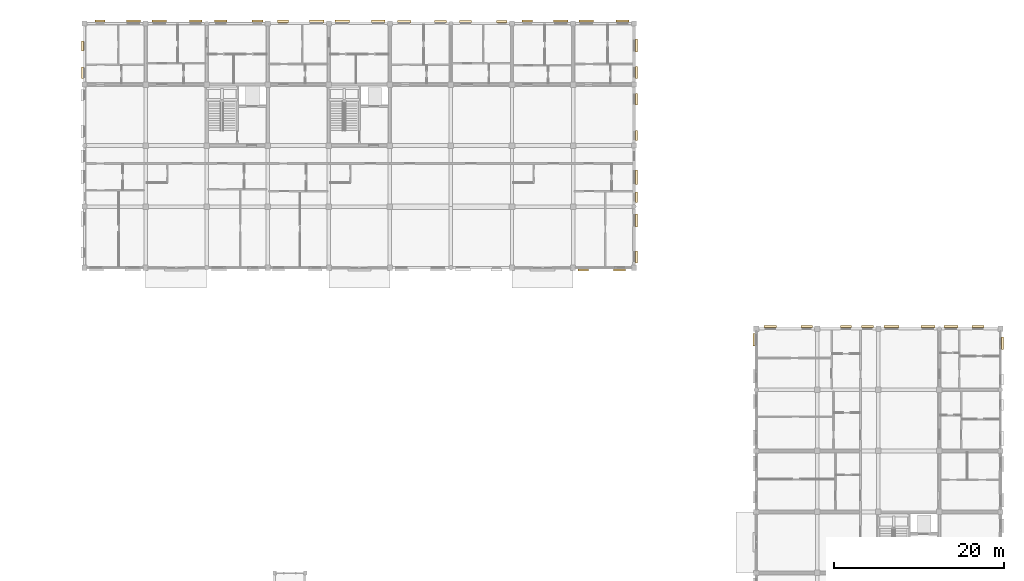
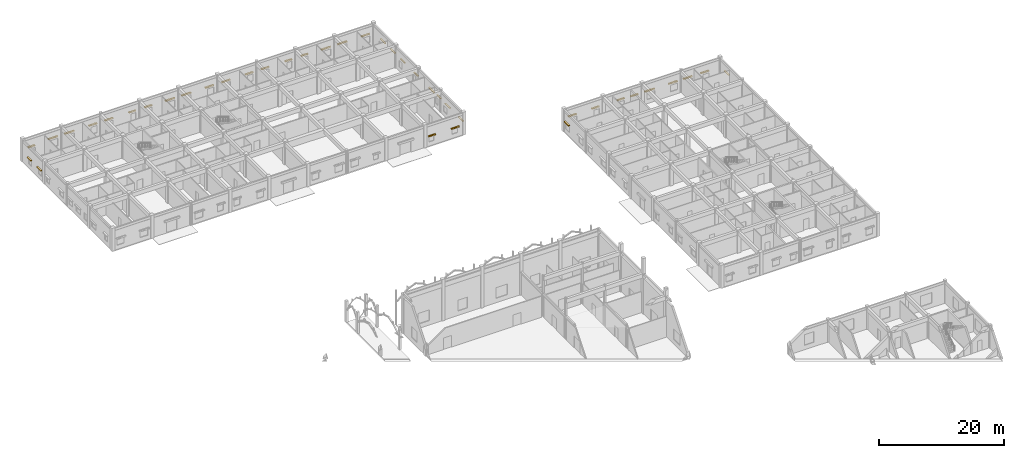
# One storey, part 137 of 138: 40 coverings.
"""IFC4 building model written with IfcOpenShell, lengths in metres."""

import ifcopenshell
import ifcopenshell.guid

model = None  # the IFC model being written
_history = None  # IfcOwnerHistory: only IFC2X3 demands one
_inside = {}  # id of a spatial element -> (the spatial element, [elements in it])
_under = {}  # id of a project, library or spatial element -> (it, [spatial elements below it])
_declared = {}  # id of a project -> (the project, [libraries it declares])
_typed = {}  # id of a type object -> (the type object, [elements of that type])
_made_of = {}  # id of a material, layer set ... -> (it, [elements and type objects made of it])


def new_model(schema):
    """Start an empty IFC model of exactly this schema.

    Asked for "IFC4X3", IfcOpenShell would pick the latest addendum, in which some entities
    have other attributes; the version numbers below select the first issue.
    IFC2X3 requires an IfcOwnerHistory on every rooted entity: one is made here for all.
    """
    global model, _history
    if schema == "IFC4X3":
        model = ifcopenshell.file(schema_version=(4, 3, 0, 0))
    else:
        model = ifcopenshell.file(schema=schema)
    _inside.clear()
    _under.clear()
    _declared.clear()
    _typed.clear()
    _made_of.clear()
    _history = None
    if model.schema == "IFC2X3":
        org = make("IfcOrganization", Name="unknown")
        user = make(
            "IfcPersonAndOrganization",
            ThePerson=make("IfcPerson", FamilyName="unknown"),
            TheOrganization=org,
        )
        app = make(
            "IfcApplication",
            ApplicationDeveloper=org,
            Version="unknown",
            ApplicationFullName="unknown",
            ApplicationIdentifier="unknown",
        )
        _history = make(
            "IfcOwnerHistory",
            OwningUser=user,
            OwningApplication=app,
            ChangeAction="ADDED",
            CreationDate=0,
        )
    return model


def make(cls, **values):
    """One entity of the class cls with the attributes given. An attribute that is None is left unset."""
    return model.create_entity(
        cls, **{name: value for name, value in values.items() if value is not None}
    )


def rooted(cls, **values):
    """An entity with a GlobalId (a new one), such as an element, a storey or a relation."""
    return make(cls, GlobalId=ifcopenshell.guid.new(), OwnerHistory=_history, **values)


def si_unit(unit_type, name, prefix=None):
    """IfcSIUnit, for example si_unit("LENGTHUNIT", "METRE", prefix="MILLI")."""
    return make("IfcSIUnit", UnitType=unit_type, Prefix=prefix, Name=name)


def assignment(units):
    """IfcUnitAssignment: the units of a project."""
    return None if units is None else make("IfcUnitAssignment", Units=units)


def point(xyz):
    """IfcCartesianPoint."""
    return None if xyz is None else make("IfcCartesianPoint", Coordinates=xyz)


def direction(xyz):
    """IfcDirection."""
    return None if xyz is None else make("IfcDirection", DirectionRatios=xyz)


def frame(location, z_axis=None, x_axis=None):
    """IfcAxis2Placement3D, a coordinate frame: its origin and axes. An axis left out is left unset."""
    return make(
        "IfcAxis2Placement3D",
        Location=point(location),
        Axis=direction(z_axis),
        RefDirection=direction(x_axis),
    )


def frame_2d(location, x_axis=None):
    """IfcAxis2Placement2D, a coordinate frame in the plane: its origin and x axis."""
    return make(
        "IfcAxis2Placement2D", Location=point(location), RefDirection=direction(x_axis)
    )


def origin():
    """The frame at (0, 0, 0) with its axes left unset."""
    return frame((0.0, 0.0, 0.0))


def origin_2d():
    """The frame at (0, 0) in the plane with its x axis left unset."""
    return frame_2d((0.0, 0.0))


def place(relative_to, where):
    """IfcLocalPlacement: puts the frame where relative to a parent placement (None: the world)."""
    return make(
        "IfcLocalPlacement", PlacementRelTo=relative_to, RelativePlacement=where
    )


def context(
    kind, dimensions, precision=None, world=None, true_north=None, identifier=None
):
    """IfcGeometricRepresentationContext, for example the 3D "Model" context."""
    return make(
        "IfcGeometricRepresentationContext",
        ContextIdentifier=identifier,
        ContextType=kind,
        CoordinateSpaceDimension=dimensions,
        Precision=precision,
        WorldCoordinateSystem=world,
        TrueNorth=true_north,
    )


def subcontext(parent, identifier, kind, view, scale=None):
    """IfcGeometricRepresentationSubContext, for example "Body" below "Model"."""
    return make(
        "IfcGeometricRepresentationSubContext",
        ContextIdentifier=identifier,
        ContextType=kind,
        ParentContext=parent,
        TargetScale=scale,
        TargetView=view,
    )


def project(units=None, contexts=None):
    """IfcProject with its units and contexts."""
    return rooted(
        "IfcProject",
        Name="project",
        RepresentationContexts=contexts,
        UnitsInContext=assignment(units),
    )


def spatial(cls, under=None, at=None, **own):
    """A site, building, storey or space (cls), placed at a placement, below another one or the project."""
    s = rooted(cls, ObjectPlacement=at, **own)
    if under is not None:
        _under.setdefault(under.id(), (under, []))[1].append(s)
    return s


def profile(cls, at=None, kind="AREA", **sizes):
    """A parametric profile (cls). Its sizes go by their IFC names, for example OverallWidth=200.0."""
    return make(cls, ProfileType=kind, Position=at, **sizes)


def rectangle(**sizes):
    """IfcRectangleProfileDef."""
    return profile("IfcRectangleProfileDef", **sizes)


def extrude(swept, where, along, depth):
    """IfcExtrudedAreaSolid: the profile swept, set in the frame where, extruded along a direction by depth."""
    return make(
        "IfcExtrudedAreaSolid",
        SweptArea=swept,
        Position=where,
        ExtrudedDirection=direction(along),
        Depth=depth,
    )


def shape(context_of_items, identifier, shape_type, items):
    """IfcShapeRepresentation: the items that make up one representation, for example the "Body"."""
    return make(
        "IfcShapeRepresentation",
        ContextOfItems=context_of_items,
        RepresentationIdentifier=identifier,
        RepresentationType=shape_type,
        Items=items,
    )


def material(Name=None, Category=None):
    """IfcMaterial."""
    return make("IfcMaterial", Name=Name, Category=Category)


def layer(
    of_material, thickness, ventilated=None, Name=None, Category=None, Priority=None
):
    """IfcMaterialLayer: one layer of a wall or slab, of a material (None: an air gap)."""
    return make(
        "IfcMaterialLayer",
        Material=of_material,
        LayerThickness=thickness,
        IsVentilated=ventilated,
        Name=Name,
        Category=Category,
        Priority=Priority,
    )


def layer_set(layers, Name=None):
    """IfcMaterialLayerSet."""
    return make("IfcMaterialLayerSet", MaterialLayers=layers, LayerSetName=Name)


def made_of(thing, what):
    """Note that an element or type object is made of a material, layer set ...; save() writes the relation."""
    if what is not None:
        _made_of.setdefault(what.id(), (what, []))[1].append(thing)
    return thing


def type_object(cls, material=None, **own):
    """A type object (cls), such as IfcWallType, which elements share."""
    return made_of(rooted(cls, **own), material)


def element(
    cls,
    number,
    at=None,
    inside=None,
    cuts=None,
    type_object=None,
    material=None,
    context=None,
    identifier="Body",
    shape_type=None,
    held_by="IfcProductDefinitionShape",
    body=None,
    shapes=None,
    **own,
):
    """One element of the class cls, such as IfcWall. Its Tag is "e" and its number.

    at: its placement. inside: the storey or other place that contains it. cuts: it is an
    opening in that element (IfcRelVoidsElement). A single representation is given by context,
    identifier, shape_type and body (its items); several are given by shapes. held_by: the class
    of the entity that holds the representations. save() writes the other relations.
    """
    e = rooted(cls, Tag="e%d" % number, ObjectPlacement=at, **own)
    if body is not None:
        shapes = [shape(context, identifier, shape_type, body)]
    if shapes is not None:
        e.Representation = make(held_by, Representations=shapes)
    if inside is not None:
        _inside.setdefault(inside.id(), (inside, []))[1].append(e)
    if cuts is not None:
        rooted(
            "IfcRelVoidsElement", RelatingBuildingElement=cuts, RelatedOpeningElement=e
        )
    if type_object is not None:
        _typed.setdefault(type_object.id(), (type_object, []))[1].append(e)
    return made_of(e, material)


def aggregate(whole, parts):
    """IfcRelAggregates: a whole, such as a stair, and the parts it consists of."""
    return rooted("IfcRelAggregates", RelatingObject=whole, RelatedObjects=parts)


def save(model, path):
    """Write the relations noted so far, then the file.

    IfcRelAggregates (storeys below a building ...), IfcRelContainedInSpatialStructure (elements
    in a storey), IfcRelDefinesByType, IfcRelAssociatesMaterial and IfcRelDeclares: one each for
    every whole, place, type object, material and project.
    """
    for whole, parts in _under.values():
        aggregate(whole, parts)
    for where, things in _inside.values():
        rooted(
            "IfcRelContainedInSpatialStructure",
            RelatedElements=things,
            RelatingStructure=where,
        )
    for kind, things in _typed.values():
        rooted("IfcRelDefinesByType", RelatedObjects=things, RelatingType=kind)
    for what, things in _made_of.values():
        rooted("IfcRelAssociatesMaterial", RelatedObjects=things, RelatingMaterial=what)
    for by, libraries in _declared.values():
        rooted("IfcRelDeclares", RelatingContext=by, RelatedDefinitions=libraries)
    model.write(path)


model = new_model("IFC4")

# Units and contexts
model_context = context("Model", 3, precision=1e-05, world=origin(), true_north=direction((0.0, 1.0)))
body_context = subcontext(model_context, "Body", "Model", "MODEL_VIEW")
ifc_project = project(units=[si_unit("LENGTHUNIT", "METRE"), si_unit("AREAUNIT", "SQUARE_METRE"), si_unit("VOLUMEUNIT", "CUBIC_METRE"), si_unit("PLANEANGLEUNIT", "RADIAN"), si_unit("MASSUNIT", "GRAM", prefix="KILO"), si_unit("THERMODYNAMICTEMPERATUREUNIT", "KELVIN"), si_unit("POWERUNIT", "WATT")], contexts=[model_context])

# Site, building, storey
site_placement = place(None, origin())
site = spatial("IfcSite", under=ifc_project, at=site_placement, CompositionType="ELEMENT")
building_placement = place(site_placement, origin())
building = spatial("IfcBuilding", under=site, at=building_placement, Name="Tavuni Mirador Residences", CompositionType="ELEMENT")
storey_placement = place(building_placement, origin())
storey = spatial("IfcBuildingStorey", under=building, at=storey_placement, Name="L00", CompositionType="ELEMENT", Elevation=0.0)

# Coverings
ifc_material = material(Name="Natural coral limestone", Category="masonry")
ifc_layer = layer(ifc_material, 0.054931640625, Name="Natural coral limestone", Category="masonry")
ifc_layer_set = layer_set([ifc_layer], Name="Natural coral limestone")
covering_type = type_object("IfcCoveringType", Name="CVT-CLAD-CORAL", PredefinedType="CLADDING", material=ifc_layer_set)
covering_1_placement = place(storey_placement, frame((69.610107421875, 143.720458984375, 1.955078125), z_axis=(0.0, 0.0, 1.0), x_axis=(1.0, 0.0, 0.0)))
element("IfcCovering", 1, at=covering_1_placement, inside=storey, type_object=covering_type, Name="HOOD-0496", PredefinedType="CLADDING", context=body_context, shape_type="SweptSolid", body=[
    extrude(rectangle(XDim=1.260009765625, YDim=0.25, at=origin_2d()), origin(), (0.0, 0.0, 1.0), 0.14990234375),
])
for number, where, z_axis, x_axis, name in (
    (2, (73.889892578125, 143.720458984375, 1.955078125), (0.0, 0.0, 1.0), (1.0, 0.0, 0.0), "HOOD-0497"),
    (3, (75.886962890625, 145.2900390625, 1.955078125), (0.0, 0.0, 1.0), (0.0, 1.0, 0.0), "HOOD-0498"),
):
    element("IfcCovering", number, at=place(storey_placement, frame(where, z_axis=z_axis, x_axis=x_axis)), inside=storey, type_object=covering_type, Name=name, PredefinedType="CLADDING", context=body_context, shape_type="SweptSolid", body=[
        extrude(rectangle(XDim=1.419921875, YDim=0.25, at=origin_2d()), origin(), (0.0, 0.0, 1.0), 0.14990234375),
    ])
covering_2_placement = place(storey_placement, frame((75.886962890625, 149.570068359375, 1.955078125), z_axis=(0.0, 0.0, 1.0), x_axis=(0.0, 1.0, 0.0)))
element("IfcCovering", 4, at=covering_2_placement, inside=storey, type_object=covering_type, Name="HOOD-0499", PredefinedType="CLADDING", context=body_context, shape_type="SweptSolid", body=[
    extrude(rectangle(XDim=1.580078125, YDim=0.25, at=origin_2d()), origin(), (0.0, 0.0, 1.0), 0.14990234375),
])
covering_3_placement = place(storey_placement, frame((75.87939453125, 152.31005859375, 2.06494140625), z_axis=(0.0, 0.0, 1.0), x_axis=(0.0, 1.0, 0.0)))
element("IfcCovering", 5, at=covering_3_placement, inside=storey, type_object=covering_type, Name="HOOD-0500", PredefinedType="CLADDING", context=body_context, shape_type="SweptSolid", body=[
    extrude(rectangle(XDim=1.219970703125, YDim=0.25, at=origin_2d()), origin(), (0.0, 0.0, 1.0), 0.14990234375),
])
covering_4_placement = place(storey_placement, frame((75.87939453125, 154.659912109375, 1.955078125), z_axis=(0.0, 0.0, 1.0), x_axis=(0.0, 1.0, 0.0)))
element("IfcCovering", 6, at=covering_4_placement, inside=storey, type_object=covering_type, Name="HOOD-0501", PredefinedType="CLADDING", context=body_context, shape_type="SweptSolid", body=[
    extrude(rectangle(XDim=1.739990234375, YDim=0.25, at=origin_2d()), origin(), (0.0, 0.0, 1.0), 0.14990234375),
])
covering_5_placement = place(storey_placement, frame((75.87451171875, 159.590087890625, 2.06494140625), z_axis=(0.0, 0.0, 1.0), x_axis=(0.0, 1.0, 0.0)))
element("IfcCovering", 7, at=covering_5_placement, inside=storey, type_object=covering_type, Name="HOOD-0502", PredefinedType="CLADDING", context=body_context, shape_type="SweptSolid", body=[
    extrude(rectangle(XDim=1.219970703125, YDim=0.25, at=origin_2d()), origin(), (0.0, 0.0, 1.0), 0.14990234375),
])
for number, where, z_axis, x_axis, name in (
    (8, (75.87451171875, 163.8701171875, 2.06494140625), (0.0, 0.0, 1.0), (0.0, 1.0, 0.0), "HOOD-0503"),
    (9, (75.866943359375, 167.030029296875, 2.06494140625), (0.0, 0.0, 1.0), (0.0, 1.0, 0.0), "HOOD-0504"),
):
    element("IfcCovering", number, at=place(storey_placement, frame(where, z_axis=z_axis, x_axis=x_axis)), inside=storey, type_object=covering_type, Name=name, PredefinedType="CLADDING", context=body_context, shape_type="SweptSolid", body=[
        extrude(rectangle(XDim=1.3798828125, YDim=0.25, at=origin_2d()), origin(), (0.0, 0.0, 1.0), 0.14990234375),
    ])
for number, where, z_axis, x_axis, name in (
    (10, (75.866943359375, 170.18994140625, 2.06494140625), (0.0, 0.0, 1.0), (0.0, 1.0, 0.0), "HOOD-0505"),
    (11, (74.25, 173.07958984375, 2.06494140625), (0.0, 0.0, 1.0), (-1.0, 0.0, 0.0), "HOOD-0506"),
):
    element("IfcCovering", number, at=place(storey_placement, frame(where, z_axis=z_axis, x_axis=x_axis)), inside=storey, type_object=covering_type, Name=name, PredefinedType="CLADDING", context=body_context, shape_type="SweptSolid", body=[
        extrude(rectangle(XDim=1.5400390625, YDim=0.25, at=origin_2d()), origin(), (0.0, 0.0, 1.0), 0.14990234375),
    ])
for number, where, z_axis, x_axis, name in (
    (12, (69.969970703125, 173.07958984375, 2.06494140625), (0.0, 0.0, 1.0), (-1.0, 0.0, 0.0), "HOOD-0507"),
    (13, (66.969970703125, 173.0869140625, 2.06494140625), (0.0, 0.0, 1.0), (-1.0, 0.0, 0.0), "HOOD-0508"),
):
    element("IfcCovering", number, at=place(storey_placement, frame(where, z_axis=z_axis, x_axis=x_axis)), inside=storey, type_object=covering_type, Name=name, PredefinedType="CLADDING", context=body_context, shape_type="SweptSolid", body=[
        extrude(rectangle(XDim=1.699951171875, YDim=0.25, at=origin_2d()), origin(), (0.0, 0.0, 1.0), 0.14990234375),
    ])
for number, where, z_axis, x_axis, name in (
    (14, (63.0, 173.0869140625, 2.1650390625), (0.0, 0.0, 1.0), (-1.0, 0.0, 0.0), "HOOD-0509"),
    (15, (60.0, 173.04443359375, 2.1650390625), (0.0, 0.0, 1.0), (-1.0, 0.0, 0.0), "HOOD-0510"),
):
    element("IfcCovering", number, at=place(storey_placement, frame(where, z_axis=z_axis, x_axis=x_axis)), inside=storey, type_object=covering_type, Name=name, PredefinedType="CLADDING", context=body_context, shape_type="SweptSolid", body=[
        extrude(rectangle(XDim=1.239990234375, YDim=0.25, at=origin_2d()), origin(), (0.0, 0.0, 1.0), 0.14990234375),
    ])
for number, where, z_axis, x_axis, name in (
    (16, (55.719970703125, 173.04443359375, 2.1650390625), (0.0, 0.0, 1.0), (-1.0, 0.0, 0.0), "HOOD-0511"),
    (17, (52.760009765625, 173.049560546875, 2.1650390625), (0.0, 0.0, 1.0), (-1.0, 0.0, 0.0), "HOOD-0512"),
):
    element("IfcCovering", number, at=place(storey_placement, frame(where, z_axis=z_axis, x_axis=x_axis)), inside=storey, type_object=covering_type, Name=name, PredefinedType="CLADDING", context=body_context, shape_type="SweptSolid", body=[
        extrude(rectangle(XDim=1.39990234375, YDim=0.25, at=origin_2d()), origin(), (0.0, 0.0, 1.0), 0.14990234375),
    ])
for number, where, z_axis, x_axis, name in (
    (18, (48.47998046875, 173.049560546875, 2.1650390625), (0.0, 0.0, 1.0), (-1.0, 0.0, 0.0), "HOOD-0513"),
    (19, (45.43994140625, 173.0595703125, 2.1650390625), (0.0, 0.0, 1.0), (-1.0, 0.0, 0.0), "HOOD-0514"),
):
    element("IfcCovering", number, at=place(storey_placement, frame(where, z_axis=z_axis, x_axis=x_axis)), inside=storey, type_object=covering_type, Name=name, PredefinedType="CLADDING", context=body_context, shape_type="SweptSolid", body=[
        extrude(rectangle(XDim=1.56005859375, YDim=0.25, at=origin_2d()), origin(), (0.0, 0.0, 1.0), 0.14990234375),
    ])
for number, where, z_axis, x_axis, name in (
    (20, (41.159912109375, 173.0595703125, 2.1650390625), (0.0, 0.0, 1.0), (-1.0, 0.0, 0.0), "HOOD-0515"),
    (21, (38.159912109375, 173.06689453125, 2.1650390625), (0.0, 0.0, 1.0), (-1.0, 0.0, 0.0), "HOOD-0516"),
):
    element("IfcCovering", number, at=place(storey_placement, frame(where, z_axis=z_axis, x_axis=x_axis)), inside=storey, type_object=covering_type, Name=name, PredefinedType="CLADDING", context=body_context, shape_type="SweptSolid", body=[
        extrude(rectangle(XDim=1.719970703125, YDim=0.25, at=origin_2d()), origin(), (0.0, 0.0, 1.0), 0.14990234375),
    ])
for number, where, z_axis, x_axis, name in (
    (22, (34.179931640625, 173.06689453125, 2.2451171875), (0.0, 0.0, 1.0), (-1.0, 0.0, 0.0), "HOOD-0517"),
    (23, (31.179931640625, 173.074462890625, 2.2451171875), (0.0, 0.0, 1.0), (-1.0, 0.0, 0.0), "HOOD-0518"),
):
    element("IfcCovering", number, at=place(storey_placement, frame(where, z_axis=z_axis, x_axis=x_axis)), inside=storey, type_object=covering_type, Name=name, PredefinedType="CLADDING", context=body_context, shape_type="SweptSolid", body=[
        extrude(rectangle(XDim=1.280029296875, YDim=0.25, at=origin_2d()), origin(), (0.0, 0.0, 1.0), 0.14990234375),
    ])
for number, where, z_axis, x_axis, name in (
    (24, (26.875, 173.074462890625, 2.2451171875), (0.0, 0.0, 1.0), (-1.0, 0.0, 0.0), "HOOD-0519"),
    (25, (23.9150390625, 173.07958984375, 2.2451171875), (0.0, 0.0, 1.0), (-1.0, 0.0, 0.0), "HOOD-0520"),
):
    element("IfcCovering", number, at=place(storey_placement, frame(where, z_axis=z_axis, x_axis=x_axis)), inside=storey, type_object=covering_type, Name=name, PredefinedType="CLADDING", context=body_context, shape_type="SweptSolid", body=[
        extrude(rectangle(XDim=1.489990234375, YDim=0.25, at=origin_2d()), origin(), (0.0, 0.0, 1.0), 0.14990234375),
    ])
for number, where, z_axis, x_axis, name in (
    (26, (19.614990234375, 173.07958984375, 2.2451171875), (0.0, 0.0, 1.0), (-1.0, 0.0, 0.0), "HOOD-0521"),
    (27, (16.574951171875, 173.0869140625, 2.2451171875), (0.0, 0.0, 1.0), (-1.0, 0.0, 0.0), "HOOD-0522"),
):
    element("IfcCovering", number, at=place(storey_placement, frame(where, z_axis=z_axis, x_axis=x_axis)), inside=storey, type_object=covering_type, Name=name, PredefinedType="CLADDING", context=body_context, shape_type="SweptSolid", body=[
        extrude(rectangle(XDim=1.68994140625, YDim=0.25, at=origin_2d()), origin(), (0.0, 0.0, 1.0), 0.14990234375),
    ])
for number, where, z_axis, x_axis, name in (
    (28, (12.625, 173.0869140625, 1.955078125), (0.0, 0.0, 1.0), (-1.0, 0.0, 0.0), "HOOD-0523"),
    (29, (10.532958984375, 170.14990234375, 1.955078125), (0.0, 0.0, 1.0), (0.0, -1.0, 0.0), "HOOD-0524"),
):
    element("IfcCovering", number, at=place(storey_placement, frame(where, z_axis=z_axis, x_axis=x_axis)), inside=storey, type_object=covering_type, Name=name, PredefinedType="CLADDING", context=body_context, shape_type="SweptSolid", body=[
        extrude(rectangle(XDim=1.18994140625, YDim=0.25, at=origin_2d()), origin(), (0.0, 0.0, 1.0), 0.14990234375),
    ])
covering_6_placement = place(storey_placement, frame((10.532958984375, 166.989990234375, 1.955078125), z_axis=(0.0, 0.0, 1.0), x_axis=(0.0, -1.0, 0.0)))
element("IfcCovering", 30, at=covering_6_placement, inside=storey, type_object=covering_type, Name="HOOD-0525", PredefinedType="CLADDING", context=body_context, shape_type="SweptSolid", body=[
    extrude(rectangle(XDim=1.340087890625, YDim=0.25, at=origin_2d()), origin(), (0.0, 0.0, 1.0), 0.14990234375),
])
for number, where, z_axis, x_axis, name in (
    (31, (119.04443359375, 135.070068359375, 2.06494140625), (0.0, 0.0, 1.0), (0.0, 1.0, 0.0), "HOOD-0865"),
    (32, (116.14990234375, 137.06689453125, 2.06494140625), (0.0, 0.0, 1.0), (-1.0, 0.0, 0.0), "HOOD-0866"),
):
    element("IfcCovering", number, at=place(storey_placement, frame(where, z_axis=z_axis, x_axis=x_axis)), inside=storey, type_object=covering_type, Name=name, PredefinedType="CLADDING", context=body_context, shape_type="SweptSolid", body=[
        extrude(rectangle(XDim=1.4599609375, YDim=0.25, at=origin_2d()), origin(), (0.0, 0.0, 1.0), 0.14990234375),
    ])
for number, where, z_axis, x_axis, name in (
    (33, (112.969970703125, 137.06689453125, 2.06494140625), (0.0, 0.0, 1.0), (-1.0, 0.0, 0.0), "HOOD-0867"),
    (34, (110.25, 137.074462890625, 2.06494140625), (0.0, 0.0, 1.0), (-1.0, 0.0, 0.0), "HOOD-0868"),
):
    element("IfcCovering", number, at=place(storey_placement, frame(where, z_axis=z_axis, x_axis=x_axis)), inside=storey, type_object=covering_type, Name=name, PredefinedType="CLADDING", context=body_context, shape_type="SweptSolid", body=[
        extrude(rectangle(XDim=1.6201171875, YDim=0.25, at=origin_2d()), origin(), (0.0, 0.0, 1.0), 0.14990234375),
    ])
covering_7_placement = place(storey_placement, frame((105.969970703125, 137.074462890625, 2.06494140625), z_axis=(0.0, 0.0, 1.0), x_axis=(-1.0, 0.0, 0.0)))
element("IfcCovering", 35, at=covering_7_placement, inside=storey, type_object=covering_type, Name="HOOD-0869", PredefinedType="CLADDING", context=body_context, shape_type="SweptSolid", body=[
    extrude(rectangle(XDim=1.780029296875, YDim=0.25, at=origin_2d()), origin(), (0.0, 0.0, 1.0), 0.14990234375),
])
covering_8_placement = place(storey_placement, frame((103.1298828125, 137.07958984375, 2.06494140625), z_axis=(0.0, 0.0, 1.0), x_axis=(-1.0, 0.0, 0.0)))
element("IfcCovering", 36, at=covering_8_placement, inside=storey, type_object=covering_type, Name="HOOD-0870", PredefinedType="CLADDING", context=body_context, shape_type="SweptSolid", body=[
    extrude(rectangle(XDim=1.3798828125, YDim=0.25, at=origin_2d()), origin(), (0.0, 0.0, 1.0), 0.14990234375),
])
for number, where, z_axis, x_axis, name in (
    (37, (100.60009765625, 137.07958984375, 2.1650390625), (0.0, 0.0, 1.0), (-1.0, 0.0, 0.0), "HOOD-0871"),
    (38, (95.9599609375, 137.0869140625, 2.1650390625), (0.0, 0.0, 1.0), (-1.0, 0.0, 0.0), "HOOD-0872"),
):
    element("IfcCovering", number, at=place(storey_placement, frame(where, z_axis=z_axis, x_axis=x_axis)), inside=storey, type_object=covering_type, Name=name, PredefinedType="CLADDING", context=body_context, shape_type="SweptSolid", body=[
        extrude(rectangle(XDim=1.320068359375, YDim=0.25, at=origin_2d()), origin(), (0.0, 0.0, 1.0), 0.14990234375),
    ])
for number, where, z_axis, x_axis, name in (
    (39, (91.679931640625, 137.0869140625, 2.1650390625), (0.0, 0.0, 1.0), (-1.0, 0.0, 0.0), "HOOD-0873"),
    (40, (89.755615234375, 135.47998046875, 2.1650390625), (0.0, 0.0, 1.0), (0.0, -1.0, 0.0), "HOOD-0874"),
):
    element("IfcCovering", number, at=place(storey_placement, frame(where, z_axis=z_axis, x_axis=x_axis)), inside=storey, type_object=covering_type, Name=name, PredefinedType="CLADDING", context=body_context, shape_type="SweptSolid", body=[
        extrude(rectangle(XDim=1.47998046875, YDim=0.25, at=origin_2d()), origin(), (0.0, 0.0, 1.0), 0.14990234375),
    ])

save(model, "model.ifc")
